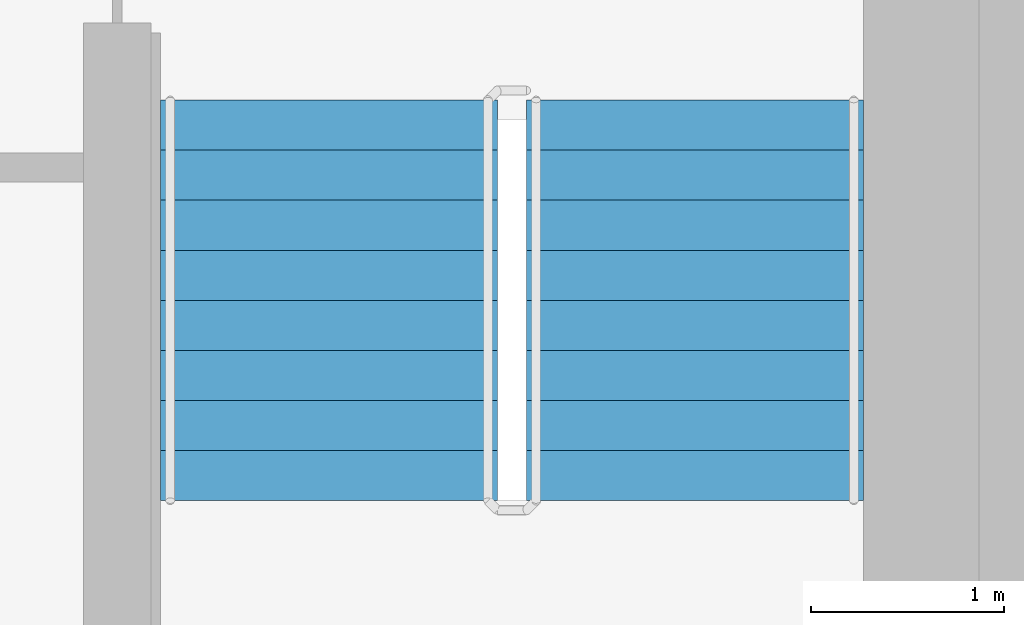
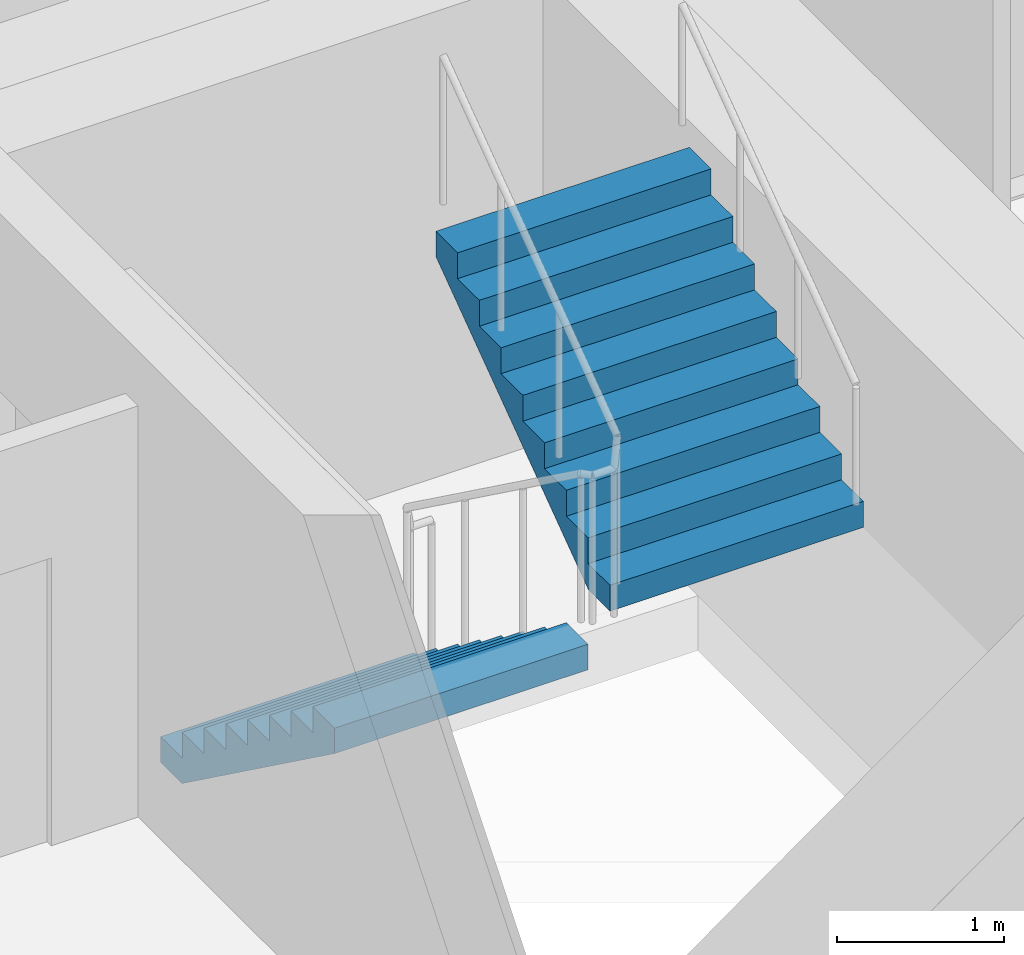
# One storey, part 14 of 18: 2 stair flights, 1 element without a shape of its own.
"""IFC4 building model written with IfcOpenShell, lengths in metres."""

from ifc_helpers import new_model, si_unit, direction, frame, origin, place, context, subcontext, project, spatial, faceted_brep, material, type_object, element, aggregate, save


model = new_model("IFC4")

# Units and contexts
model_context = context("Model", 3, precision=1e-05, world=origin(), true_north=direction((0.0, 1.0)))
body_context = subcontext(model_context, "Body", "Model", "MODEL_VIEW")
ifc_project = project(units=[si_unit("LENGTHUNIT", "METRE"), si_unit("AREAUNIT", "SQUARE_METRE"), si_unit("VOLUMEUNIT", "CUBIC_METRE"), si_unit("PLANEANGLEUNIT", "RADIAN"), si_unit("MASSUNIT", "GRAM", prefix="KILO")], contexts=[model_context])

# Site, building, storey
site_placement = place(None, origin())
site = spatial("IfcSite", under=ifc_project, at=site_placement, CompositionType="ELEMENT")
building_placement = place(site_placement, origin())
building = spatial("IfcBuilding", under=site, at=building_placement, Name="Ipe Terrace Towers", CompositionType="ELEMENT")
storey_placement = place(building_placement, frame((0.0, 0.0, 213.0)))
storey = spatial("IfcBuildingStorey", under=building, at=storey_placement, Name="L59", CompositionType="ELEMENT", Elevation=213.0)

# Stair, stair flights
ifc_material_1 = material(Name="Concrete C30/37", Category="concrete")
stair_type = type_object("IfcStairType", Name="Protected exit stair", PredefinedType="HALF_TURN_STAIR", material=ifc_material_1)
stair_placement = place(storey_placement, origin())
stair = element("IfcStair", 1, at=stair_placement, inside=storey, type_object=stair_type, Name="L59 Exit stair T2-C2", PredefinedType="HALF_TURN_STAIR")
ifc_material_2 = material(Name="Concrete C30/37", Category="concrete")
stair_flight_type = type_object("IfcStairFlightType", Name="Exit stair flight 1750", PredefinedType="STRAIGHT", material=ifc_material_2)
stair_flight_1_placement = place(storey_placement, frame((38.77490234375, -9.699951171875, 0.0), z_axis=(0.0, 0.0, 1.0), x_axis=(0.0, -1.0, 0.0)))
stair_flight_1 = element("IfcStairFlight", 2, at=stair_flight_1_placement, type_object=stair_flight_type, Name="T2-ST2 flight 1", NumberOfRisers=9, NumberOfTreads=8, PredefinedType="STRAIGHT", RiserHeight=0.188888889, TreadLength=0.26, context=body_context, shape_type="Brep", body=[
    faceted_brep([(0.255126953125, -0.875, 0.0), (2.080078125, -0.875, 1.325927734375), (2.080078125, -0.875, 1.51123046875), (1.820068359375, -0.875, 1.51123046875), (1.820068359375, -0.875, 1.322265625), (1.56005859375, -0.875, 1.322265625), (1.56005859375, -0.875, 1.13330078125), (1.300048828125, -0.875, 1.13330078125), (1.300048828125, -0.875, 0.9443359375), (1.0400390625, -0.875, 0.9443359375), (1.0400390625, -0.875, 0.755615234375), (0.780029296875, -0.875, 0.755615234375), (0.780029296875, -0.875, 0.566650390625), (0.52001953125, -0.875, 0.566650390625), (0.52001953125, -0.875, 0.377685546875), (0.260009765625, -0.875, 0.377685546875), (0.260009765625, -0.875, 0.18896484375), (0.0, -0.875, 0.18896484375), (0.0, -0.875, 0.0), (0.0, 0.875, 0.0), (0.0, 0.875, 0.18896484375), (0.260009765625, 0.875, 0.18896484375), (0.260009765625, 0.875, 0.377685546875), (0.52001953125, 0.875, 0.377685546875), (0.52001953125, 0.875, 0.566650390625), (0.780029296875, 0.875, 0.566650390625), (0.780029296875, 0.875, 0.755615234375), (1.0400390625, 0.875, 0.755615234375), (1.0400390625, 0.875, 0.9443359375), (1.300048828125, 0.875, 0.9443359375), (1.300048828125, 0.875, 1.13330078125), (1.56005859375, 0.875, 1.13330078125), (1.56005859375, 0.875, 1.322265625), (1.820068359375, 0.875, 1.322265625), (1.820068359375, 0.875, 1.51123046875), (2.080078125, 0.875, 1.51123046875), (2.080078125, 0.875, 1.325927734375), (0.255126953125, 0.875, 0.0), (0.0, -0.300048828125, 0.18896484375), (0.0, -0.1201171875, 0.18896484375), (0.0, -0.06005859375, 0.18896484375), (0.0, -0.030029296875, 0.18896484375), (0.0, -0.010009765625, 0.18896484375), (0.0, 0.0, 0.18896484375), (0.0, 0.010009765625, 0.18896484375), (0.0, 0.030029296875, 0.18896484375), (0.0, 0.06005859375, 0.18896484375), (0.0, 0.1201171875, 0.18896484375), (0.0, 0.300048828125, 0.18896484375), (0.0, 0.300048828125, 0.0), (0.0, 0.1201171875, 0.0), (0.0, 0.06005859375, 0.0), (0.0, 0.030029296875, 0.0), (0.0, 0.010009765625, 0.0), (0.0, 0.0, 0.0), (0.0, -0.010009765625, 0.0), (0.0, -0.030029296875, 0.0), (0.0, -0.06005859375, 0.0), (0.0, -0.1201171875, 0.0), (0.0, -0.300048828125, 0.0), (0.260009765625, -0.300048828125, 0.18896484375), (0.260009765625, -0.1201171875, 0.18896484375), (0.260009765625, -0.06005859375, 0.18896484375), (0.260009765625, -0.030029296875, 0.18896484375), (0.260009765625, -0.010009765625, 0.18896484375), (0.260009765625, 0.0, 0.18896484375), (0.260009765625, 0.010009765625, 0.18896484375), (0.260009765625, 0.030029296875, 0.18896484375), (0.260009765625, 0.06005859375, 0.18896484375), (0.260009765625, 0.1201171875, 0.18896484375), (0.260009765625, 0.300048828125, 0.18896484375), (0.260009765625, -0.300048828125, 0.377685546875), (0.260009765625, -0.1201171875, 0.377685546875), (0.260009765625, -0.06005859375, 0.377685546875), (0.260009765625, -0.030029296875, 0.377685546875), (0.260009765625, -0.010009765625, 0.377685546875), (0.260009765625, 0.0, 0.377685546875), (0.260009765625, 0.010009765625, 0.377685546875), (0.260009765625, 0.030029296875, 0.377685546875), (0.260009765625, 0.06005859375, 0.377685546875), (0.260009765625, 0.1201171875, 0.377685546875), (0.260009765625, 0.300048828125, 0.377685546875), (0.52001953125, -0.300048828125, 0.377685546875), (0.52001953125, -0.1201171875, 0.377685546875), (0.52001953125, -0.06005859375, 0.377685546875), (0.52001953125, -0.030029296875, 0.377685546875), (0.52001953125, -0.010009765625, 0.377685546875), (0.52001953125, 0.0, 0.377685546875), (0.52001953125, 0.010009765625, 0.377685546875), (0.52001953125, 0.030029296875, 0.377685546875), (0.52001953125, 0.06005859375, 0.377685546875), (0.52001953125, 0.1201171875, 0.377685546875), (0.52001953125, 0.300048828125, 0.377685546875), (0.52001953125, -0.300048828125, 0.566650390625), (0.52001953125, -0.1201171875, 0.566650390625), (0.52001953125, -0.06005859375, 0.566650390625), (0.52001953125, -0.030029296875, 0.566650390625), (0.52001953125, -0.010009765625, 0.566650390625), (0.52001953125, 0.0, 0.566650390625), (0.52001953125, 0.010009765625, 0.566650390625), (0.52001953125, 0.030029296875, 0.566650390625), (0.52001953125, 0.06005859375, 0.566650390625), (0.52001953125, 0.1201171875, 0.566650390625), (0.52001953125, 0.300048828125, 0.566650390625), (0.780029296875, -0.300048828125, 0.566650390625), (0.780029296875, -0.1201171875, 0.566650390625), (0.780029296875, -0.06005859375, 0.566650390625), (0.780029296875, -0.030029296875, 0.566650390625), (0.780029296875, -0.010009765625, 0.566650390625), (0.780029296875, 0.0, 0.566650390625), (0.780029296875, 0.010009765625, 0.566650390625), (0.780029296875, 0.030029296875, 0.566650390625), (0.780029296875, 0.06005859375, 0.566650390625), (0.780029296875, 0.1201171875, 0.566650390625), (0.780029296875, 0.300048828125, 0.566650390625), (0.780029296875, -0.300048828125, 0.755615234375), (0.780029296875, -0.1201171875, 0.755615234375), (0.780029296875, -0.06005859375, 0.755615234375), (0.780029296875, -0.030029296875, 0.755615234375), (0.780029296875, -0.010009765625, 0.755615234375), (0.780029296875, 0.0, 0.755615234375), (0.780029296875, 0.010009765625, 0.755615234375), (0.780029296875, 0.030029296875, 0.755615234375), (0.780029296875, 0.06005859375, 0.755615234375), (0.780029296875, 0.1201171875, 0.755615234375), (0.780029296875, 0.300048828125, 0.755615234375), (1.0400390625, -0.300048828125, 0.755615234375), (1.0400390625, -0.1201171875, 0.755615234375), (1.0400390625, -0.06005859375, 0.755615234375), (1.0400390625, -0.030029296875, 0.755615234375), (1.0400390625, -0.010009765625, 0.755615234375), (1.0400390625, 0.0, 0.755615234375), (1.0400390625, 0.010009765625, 0.755615234375), (1.0400390625, 0.030029296875, 0.755615234375), (1.0400390625, 0.06005859375, 0.755615234375), (1.0400390625, 0.1201171875, 0.755615234375), (1.0400390625, 0.300048828125, 0.755615234375), (1.0400390625, -0.300048828125, 0.9443359375), (1.0400390625, -0.1201171875, 0.9443359375), (1.0400390625, -0.06005859375, 0.9443359375), (1.0400390625, -0.030029296875, 0.9443359375), (1.0400390625, -0.010009765625, 0.9443359375), (1.0400390625, 0.0, 0.9443359375), (1.0400390625, 0.010009765625, 0.9443359375), (1.0400390625, 0.030029296875, 0.9443359375), (1.0400390625, 0.06005859375, 0.9443359375), (1.0400390625, 0.1201171875, 0.9443359375), (1.0400390625, 0.300048828125, 0.9443359375), (1.300048828125, -0.300048828125, 0.9443359375), (1.300048828125, -0.1201171875, 0.9443359375), (1.300048828125, -0.06005859375, 0.9443359375), (1.300048828125, -0.030029296875, 0.9443359375), (1.300048828125, -0.010009765625, 0.9443359375), (1.300048828125, 0.0, 0.9443359375), (1.300048828125, 0.010009765625, 0.9443359375), (1.300048828125, 0.030029296875, 0.9443359375), (1.300048828125, 0.06005859375, 0.9443359375), (1.300048828125, 0.1201171875, 0.9443359375), (1.300048828125, 0.300048828125, 0.9443359375), (1.300048828125, -0.300048828125, 1.13330078125), (1.300048828125, -0.1201171875, 1.13330078125), (1.300048828125, -0.06005859375, 1.13330078125), (1.300048828125, -0.030029296875, 1.13330078125), (1.300048828125, -0.010009765625, 1.13330078125), (1.300048828125, 0.0, 1.13330078125), (1.300048828125, 0.010009765625, 1.13330078125), (1.300048828125, 0.030029296875, 1.13330078125), (1.300048828125, 0.06005859375, 1.13330078125), (1.300048828125, 0.1201171875, 1.13330078125), (1.300048828125, 0.300048828125, 1.13330078125), (1.56005859375, -0.300048828125, 1.13330078125), (1.56005859375, -0.1201171875, 1.13330078125), (1.56005859375, -0.06005859375, 1.13330078125), (1.56005859375, -0.030029296875, 1.13330078125), (1.56005859375, -0.010009765625, 1.13330078125), (1.56005859375, 0.0, 1.13330078125), (1.56005859375, 0.010009765625, 1.13330078125), (1.56005859375, 0.030029296875, 1.13330078125), (1.56005859375, 0.06005859375, 1.13330078125), (1.56005859375, 0.1201171875, 1.13330078125), (1.56005859375, 0.300048828125, 1.13330078125), (1.56005859375, -0.300048828125, 1.322265625), (1.56005859375, -0.1201171875, 1.322265625), (1.56005859375, -0.06005859375, 1.322265625), (1.56005859375, -0.030029296875, 1.322265625), (1.56005859375, -0.010009765625, 1.322265625), (1.56005859375, 0.0, 1.322265625), (1.56005859375, 0.010009765625, 1.322265625), (1.56005859375, 0.030029296875, 1.322265625), (1.56005859375, 0.06005859375, 1.322265625), (1.56005859375, 0.1201171875, 1.322265625), (1.56005859375, 0.300048828125, 1.322265625), (1.820068359375, -0.300048828125, 1.322265625), (1.820068359375, -0.1201171875, 1.322265625), (1.820068359375, -0.06005859375, 1.322265625), (1.820068359375, -0.030029296875, 1.322265625), (1.820068359375, -0.010009765625, 1.322265625), (1.820068359375, 0.0, 1.322265625), (1.820068359375, 0.010009765625, 1.322265625), (1.820068359375, 0.030029296875, 1.322265625), (1.820068359375, 0.06005859375, 1.322265625), (1.820068359375, 0.1201171875, 1.322265625), (1.820068359375, 0.300048828125, 1.322265625), (1.820068359375, -0.300048828125, 1.51123046875), (1.820068359375, -0.1201171875, 1.51123046875), (1.820068359375, -0.06005859375, 1.51123046875), (1.820068359375, -0.030029296875, 1.51123046875), (1.820068359375, -0.010009765625, 1.51123046875), (1.820068359375, 0.0, 1.51123046875), (1.820068359375, 0.010009765625, 1.51123046875), (1.820068359375, 0.030029296875, 1.51123046875), (1.820068359375, 0.06005859375, 1.51123046875), (1.820068359375, 0.1201171875, 1.51123046875), (1.820068359375, 0.300048828125, 1.51123046875), (2.080078125, -0.300048828125, 1.51123046875), (2.080078125, -0.1201171875, 1.51123046875), (2.080078125, -0.06005859375, 1.51123046875), (2.080078125, -0.030029296875, 1.51123046875), (2.080078125, -0.010009765625, 1.51123046875), (2.080078125, 0.0, 1.51123046875), (2.080078125, 0.010009765625, 1.51123046875), (2.080078125, 0.030029296875, 1.51123046875), (2.080078125, 0.06005859375, 1.51123046875), (2.080078125, 0.1201171875, 1.51123046875), (2.080078125, 0.300048828125, 1.51123046875), (2.080078125, -0.300048828125, 1.325927734375), (2.080078125, -0.1201171875, 1.325927734375), (2.080078125, -0.06005859375, 1.325927734375), (2.080078125, -0.030029296875, 1.325927734375), (2.080078125, -0.010009765625, 1.325927734375), (2.080078125, 0.0, 1.325927734375), (2.080078125, 0.010009765625, 1.325927734375), (2.080078125, 0.030029296875, 1.325927734375), (2.080078125, 0.06005859375, 1.325927734375), (2.080078125, 0.1201171875, 1.325927734375), (2.080078125, 0.300048828125, 1.325927734375), (0.255126953125, -0.300048828125, 0.0), (0.255126953125, -0.1201171875, 0.0), (0.255126953125, -0.06005859375, 0.0), (0.255126953125, -0.030029296875, 0.0), (0.255126953125, -0.010009765625, 0.0), (0.255126953125, 0.0, 0.0), (0.255126953125, 0.010009765625, 0.0), (0.255126953125, 0.030029296875, 0.0), (0.255126953125, 0.06005859375, 0.0), (0.255126953125, 0.1201171875, 0.0), (0.255126953125, 0.300048828125, 0.0)], [[[0, 1, 2, 3, 4, 5, 6, 7, 8, 9, 10, 11, 12, 13, 14, 15, 16, 17, 18]], [[19, 20, 21, 22, 23, 24, 25, 26, 27, 28, 29, 30, 31, 32, 33, 34, 35, 36, 37]], [[17, 38, 39, 40, 41, 42, 43, 44, 45, 46, 47, 48, 20, 19, 49, 50, 51, 52, 53, 54, 55, 56, 57, 58, 59, 18]], [[16, 60, 61, 62, 63, 64, 65, 66, 67, 68, 69, 70, 21, 20, 48, 47, 46, 45, 44, 43, 42, 41, 40, 39, 38, 17]], [[15, 71, 72, 73, 74, 75, 76, 77, 78, 79, 80, 81, 22, 21, 70, 69, 68, 67, 66, 65, 64, 63, 62, 61, 60, 16]], [[14, 82, 83, 84, 85, 86, 87, 88, 89, 90, 91, 92, 23, 22, 81, 80, 79, 78, 77, 76, 75, 74, 73, 72, 71, 15]], [[13, 93, 94, 95, 96, 97, 98, 99, 100, 101, 102, 103, 24, 23, 92, 91, 90, 89, 88, 87, 86, 85, 84, 83, 82, 14]], [[12, 104, 105, 106, 107, 108, 109, 110, 111, 112, 113, 114, 25, 24, 103, 102, 101, 100, 99, 98, 97, 96, 95, 94, 93, 13]], [[11, 115, 116, 117, 118, 119, 120, 121, 122, 123, 124, 125, 26, 25, 114, 113, 112, 111, 110, 109, 108, 107, 106, 105, 104, 12]], [[10, 126, 127, 128, 129, 130, 131, 132, 133, 134, 135, 136, 27, 26, 125, 124, 123, 122, 121, 120, 119, 118, 117, 116, 115, 11]], [[9, 137, 138, 139, 140, 141, 142, 143, 144, 145, 146, 147, 28, 27, 136, 135, 134, 133, 132, 131, 130, 129, 128, 127, 126, 10]], [[8, 148, 149, 150, 151, 152, 153, 154, 155, 156, 157, 158, 29, 28, 147, 146, 145, 144, 143, 142, 141, 140, 139, 138, 137, 9]], [[7, 159, 160, 161, 162, 163, 164, 165, 166, 167, 168, 169, 30, 29, 158, 157, 156, 155, 154, 153, 152, 151, 150, 149, 148, 8]], [[6, 170, 171, 172, 173, 174, 175, 176, 177, 178, 179, 180, 31, 30, 169, 168, 167, 166, 165, 164, 163, 162, 161, 160, 159, 7]], [[5, 181, 182, 183, 184, 185, 186, 187, 188, 189, 190, 191, 32, 31, 180, 179, 178, 177, 176, 175, 174, 173, 172, 171, 170, 6]], [[4, 192, 193, 194, 195, 196, 197, 198, 199, 200, 201, 202, 33, 32, 191, 190, 189, 188, 187, 186, 185, 184, 183, 182, 181, 5]], [[3, 203, 204, 205, 206, 207, 208, 209, 210, 211, 212, 213, 34, 33, 202, 201, 200, 199, 198, 197, 196, 195, 194, 193, 192, 4]], [[2, 214, 215, 216, 217, 218, 219, 220, 221, 222, 223, 224, 35, 34, 213, 212, 211, 210, 209, 208, 207, 206, 205, 204, 203, 3]], [[1, 225, 226, 227, 228, 229, 230, 231, 232, 233, 234, 235, 36, 35, 224, 223, 222, 221, 220, 219, 218, 217, 216, 215, 214, 2]], [[0, 236, 237, 238, 239, 240, 241, 242, 243, 244, 245, 246, 37, 36, 235, 234, 233, 232, 231, 230, 229, 228, 227, 226, 225, 1]], [[18, 59, 58, 57, 56, 55, 54, 53, 52, 51, 50, 49, 19, 37, 246, 245, 244, 243, 242, 241, 240, 239, 238, 237, 236, 0]]]),
])
stair_flight_2_placement = place(storey_placement, frame((40.675048828125, -11.780029296875, 1.699951171875), z_axis=(0.0, 0.0, 1.0), x_axis=(0.0, 1.0, 0.0)))
stair_flight_2 = element("IfcStairFlight", 3, at=stair_flight_2_placement, type_object=stair_flight_type, Name="T2-ST2 flight 2", NumberOfRisers=9, NumberOfTreads=8, PredefinedType="STRAIGHT", RiserHeight=0.188888889, TreadLength=0.26, context=body_context, shape_type="Brep", body=[
    faceted_brep([(0.255126953125, -0.875, 0.0), (2.080078125, -0.875, 1.325927734375), (2.080078125, -0.875, 1.51123046875), (1.820068359375, -0.875, 1.51123046875), (1.820068359375, -0.875, 1.322265625), (1.56005859375, -0.875, 1.322265625), (1.56005859375, -0.875, 1.13330078125), (1.300048828125, -0.875, 1.13330078125), (1.300048828125, -0.875, 0.9443359375), (1.0400390625, -0.875, 0.9443359375), (1.0400390625, -0.875, 0.755615234375), (0.780029296875, -0.875, 0.755615234375), (0.780029296875, -0.875, 0.566650390625), (0.52001953125, -0.875, 0.566650390625), (0.52001953125, -0.875, 0.377685546875), (0.260009765625, -0.875, 0.377685546875), (0.260009765625, -0.875, 0.18896484375), (0.0, -0.875, 0.18896484375), (0.0, -0.875, 0.0), (0.0, 0.875, 0.0), (0.0, 0.875, 0.18896484375), (0.260009765625, 0.875, 0.18896484375), (0.260009765625, 0.875, 0.377685546875), (0.52001953125, 0.875, 0.377685546875), (0.52001953125, 0.875, 0.566650390625), (0.780029296875, 0.875, 0.566650390625), (0.780029296875, 0.875, 0.755615234375), (1.0400390625, 0.875, 0.755615234375), (1.0400390625, 0.875, 0.9443359375), (1.300048828125, 0.875, 0.9443359375), (1.300048828125, 0.875, 1.13330078125), (1.56005859375, 0.875, 1.13330078125), (1.56005859375, 0.875, 1.322265625), (1.820068359375, 0.875, 1.322265625), (1.820068359375, 0.875, 1.51123046875), (2.080078125, 0.875, 1.51123046875), (2.080078125, 0.875, 1.325927734375), (0.255126953125, 0.875, 0.0), (0.0, -0.300048828125, 0.18896484375), (0.0, -0.1201171875, 0.18896484375), (0.0, -0.06005859375, 0.18896484375), (0.0, -0.030029296875, 0.18896484375), (0.0, -0.010009765625, 0.18896484375), (0.0, 0.0, 0.18896484375), (0.0, 0.010009765625, 0.18896484375), (0.0, 0.030029296875, 0.18896484375), (0.0, 0.06005859375, 0.18896484375), (0.0, 0.1201171875, 0.18896484375), (0.0, 0.300048828125, 0.18896484375), (0.0, 0.300048828125, 0.0), (0.0, 0.1201171875, 0.0), (0.0, 0.06005859375, 0.0), (0.0, 0.030029296875, 0.0), (0.0, 0.010009765625, 0.0), (0.0, 0.0, 0.0), (0.0, -0.010009765625, 0.0), (0.0, -0.030029296875, 0.0), (0.0, -0.06005859375, 0.0), (0.0, -0.1201171875, 0.0), (0.0, -0.300048828125, 0.0), (0.260009765625, -0.300048828125, 0.18896484375), (0.260009765625, -0.1201171875, 0.18896484375), (0.260009765625, -0.06005859375, 0.18896484375), (0.260009765625, -0.030029296875, 0.18896484375), (0.260009765625, -0.010009765625, 0.18896484375), (0.260009765625, 0.0, 0.18896484375), (0.260009765625, 0.010009765625, 0.18896484375), (0.260009765625, 0.030029296875, 0.18896484375), (0.260009765625, 0.06005859375, 0.18896484375), (0.260009765625, 0.1201171875, 0.18896484375), (0.260009765625, 0.300048828125, 0.18896484375), (0.260009765625, -0.300048828125, 0.377685546875), (0.260009765625, -0.1201171875, 0.377685546875), (0.260009765625, -0.06005859375, 0.377685546875), (0.260009765625, -0.030029296875, 0.377685546875), (0.260009765625, -0.010009765625, 0.377685546875), (0.260009765625, 0.0, 0.377685546875), (0.260009765625, 0.010009765625, 0.377685546875), (0.260009765625, 0.030029296875, 0.377685546875), (0.260009765625, 0.06005859375, 0.377685546875), (0.260009765625, 0.1201171875, 0.377685546875), (0.260009765625, 0.300048828125, 0.377685546875), (0.52001953125, -0.300048828125, 0.377685546875), (0.52001953125, -0.1201171875, 0.377685546875), (0.52001953125, -0.06005859375, 0.377685546875), (0.52001953125, -0.030029296875, 0.377685546875), (0.52001953125, -0.010009765625, 0.377685546875), (0.52001953125, 0.0, 0.377685546875), (0.52001953125, 0.010009765625, 0.377685546875), (0.52001953125, 0.030029296875, 0.377685546875), (0.52001953125, 0.06005859375, 0.377685546875), (0.52001953125, 0.1201171875, 0.377685546875), (0.52001953125, 0.300048828125, 0.377685546875), (0.52001953125, -0.300048828125, 0.566650390625), (0.52001953125, -0.1201171875, 0.566650390625), (0.52001953125, -0.06005859375, 0.566650390625), (0.52001953125, -0.030029296875, 0.566650390625), (0.52001953125, -0.010009765625, 0.566650390625), (0.52001953125, 0.0, 0.566650390625), (0.52001953125, 0.010009765625, 0.566650390625), (0.52001953125, 0.030029296875, 0.566650390625), (0.52001953125, 0.06005859375, 0.566650390625), (0.52001953125, 0.1201171875, 0.566650390625), (0.52001953125, 0.300048828125, 0.566650390625), (0.780029296875, -0.300048828125, 0.566650390625), (0.780029296875, -0.1201171875, 0.566650390625), (0.780029296875, -0.06005859375, 0.566650390625), (0.780029296875, -0.030029296875, 0.566650390625), (0.780029296875, -0.010009765625, 0.566650390625), (0.780029296875, 0.0, 0.566650390625), (0.780029296875, 0.010009765625, 0.566650390625), (0.780029296875, 0.030029296875, 0.566650390625), (0.780029296875, 0.06005859375, 0.566650390625), (0.780029296875, 0.1201171875, 0.566650390625), (0.780029296875, 0.300048828125, 0.566650390625), (0.780029296875, -0.300048828125, 0.755615234375), (0.780029296875, -0.1201171875, 0.755615234375), (0.780029296875, -0.06005859375, 0.755615234375), (0.780029296875, -0.030029296875, 0.755615234375), (0.780029296875, -0.010009765625, 0.755615234375), (0.780029296875, 0.0, 0.755615234375), (0.780029296875, 0.010009765625, 0.755615234375), (0.780029296875, 0.030029296875, 0.755615234375), (0.780029296875, 0.06005859375, 0.755615234375), (0.780029296875, 0.1201171875, 0.755615234375), (0.780029296875, 0.300048828125, 0.755615234375), (1.0400390625, -0.300048828125, 0.755615234375), (1.0400390625, -0.1201171875, 0.755615234375), (1.0400390625, -0.06005859375, 0.755615234375), (1.0400390625, -0.030029296875, 0.755615234375), (1.0400390625, -0.010009765625, 0.755615234375), (1.0400390625, 0.0, 0.755615234375), (1.0400390625, 0.010009765625, 0.755615234375), (1.0400390625, 0.030029296875, 0.755615234375), (1.0400390625, 0.06005859375, 0.755615234375), (1.0400390625, 0.1201171875, 0.755615234375), (1.0400390625, 0.300048828125, 0.755615234375), (1.0400390625, -0.300048828125, 0.9443359375), (1.0400390625, -0.1201171875, 0.9443359375), (1.0400390625, -0.06005859375, 0.9443359375), (1.0400390625, -0.030029296875, 0.9443359375), (1.0400390625, -0.010009765625, 0.9443359375), (1.0400390625, 0.0, 0.9443359375), (1.0400390625, 0.010009765625, 0.9443359375), (1.0400390625, 0.030029296875, 0.9443359375), (1.0400390625, 0.06005859375, 0.9443359375), (1.0400390625, 0.1201171875, 0.9443359375), (1.0400390625, 0.300048828125, 0.9443359375), (1.300048828125, -0.300048828125, 0.9443359375), (1.300048828125, -0.1201171875, 0.9443359375), (1.300048828125, -0.06005859375, 0.9443359375), (1.300048828125, -0.030029296875, 0.9443359375), (1.300048828125, -0.010009765625, 0.9443359375), (1.300048828125, 0.0, 0.9443359375), (1.300048828125, 0.010009765625, 0.9443359375), (1.300048828125, 0.030029296875, 0.9443359375), (1.300048828125, 0.06005859375, 0.9443359375), (1.300048828125, 0.1201171875, 0.9443359375), (1.300048828125, 0.300048828125, 0.9443359375), (1.300048828125, -0.300048828125, 1.13330078125), (1.300048828125, -0.1201171875, 1.13330078125), (1.300048828125, -0.06005859375, 1.13330078125), (1.300048828125, -0.030029296875, 1.13330078125), (1.300048828125, -0.010009765625, 1.13330078125), (1.300048828125, 0.0, 1.13330078125), (1.300048828125, 0.010009765625, 1.13330078125), (1.300048828125, 0.030029296875, 1.13330078125), (1.300048828125, 0.06005859375, 1.13330078125), (1.300048828125, 0.1201171875, 1.13330078125), (1.300048828125, 0.300048828125, 1.13330078125), (1.56005859375, -0.300048828125, 1.13330078125), (1.56005859375, -0.1201171875, 1.13330078125), (1.56005859375, -0.06005859375, 1.13330078125), (1.56005859375, -0.030029296875, 1.13330078125), (1.56005859375, -0.010009765625, 1.13330078125), (1.56005859375, 0.0, 1.13330078125), (1.56005859375, 0.010009765625, 1.13330078125), (1.56005859375, 0.030029296875, 1.13330078125), (1.56005859375, 0.06005859375, 1.13330078125), (1.56005859375, 0.1201171875, 1.13330078125), (1.56005859375, 0.300048828125, 1.13330078125), (1.56005859375, -0.300048828125, 1.322265625), (1.56005859375, -0.1201171875, 1.322265625), (1.56005859375, -0.06005859375, 1.322265625), (1.56005859375, -0.030029296875, 1.322265625), (1.56005859375, -0.010009765625, 1.322265625), (1.56005859375, 0.0, 1.322265625), (1.56005859375, 0.010009765625, 1.322265625), (1.56005859375, 0.030029296875, 1.322265625), (1.56005859375, 0.06005859375, 1.322265625), (1.56005859375, 0.1201171875, 1.322265625), (1.56005859375, 0.300048828125, 1.322265625), (1.820068359375, -0.300048828125, 1.322265625), (1.820068359375, -0.1201171875, 1.322265625), (1.820068359375, -0.06005859375, 1.322265625), (1.820068359375, -0.030029296875, 1.322265625), (1.820068359375, -0.010009765625, 1.322265625), (1.820068359375, 0.0, 1.322265625), (1.820068359375, 0.010009765625, 1.322265625), (1.820068359375, 0.030029296875, 1.322265625), (1.820068359375, 0.06005859375, 1.322265625), (1.820068359375, 0.1201171875, 1.322265625), (1.820068359375, 0.300048828125, 1.322265625), (1.820068359375, -0.300048828125, 1.51123046875), (1.820068359375, -0.1201171875, 1.51123046875), (1.820068359375, -0.06005859375, 1.51123046875), (1.820068359375, -0.030029296875, 1.51123046875), (1.820068359375, -0.010009765625, 1.51123046875), (1.820068359375, 0.0, 1.51123046875), (1.820068359375, 0.010009765625, 1.51123046875), (1.820068359375, 0.030029296875, 1.51123046875), (1.820068359375, 0.06005859375, 1.51123046875), (1.820068359375, 0.1201171875, 1.51123046875), (1.820068359375, 0.300048828125, 1.51123046875), (2.080078125, -0.300048828125, 1.51123046875), (2.080078125, -0.1201171875, 1.51123046875), (2.080078125, -0.06005859375, 1.51123046875), (2.080078125, -0.030029296875, 1.51123046875), (2.080078125, -0.010009765625, 1.51123046875), (2.080078125, 0.0, 1.51123046875), (2.080078125, 0.010009765625, 1.51123046875), (2.080078125, 0.030029296875, 1.51123046875), (2.080078125, 0.06005859375, 1.51123046875), (2.080078125, 0.1201171875, 1.51123046875), (2.080078125, 0.300048828125, 1.51123046875), (2.080078125, -0.300048828125, 1.325927734375), (2.080078125, -0.1201171875, 1.325927734375), (2.080078125, -0.06005859375, 1.325927734375), (2.080078125, -0.030029296875, 1.325927734375), (2.080078125, -0.010009765625, 1.325927734375), (2.080078125, 0.0, 1.325927734375), (2.080078125, 0.010009765625, 1.325927734375), (2.080078125, 0.030029296875, 1.325927734375), (2.080078125, 0.06005859375, 1.325927734375), (2.080078125, 0.1201171875, 1.325927734375), (2.080078125, 0.300048828125, 1.325927734375), (0.255126953125, -0.300048828125, 0.0), (0.255126953125, -0.1201171875, 0.0), (0.255126953125, -0.06005859375, 0.0), (0.255126953125, -0.030029296875, 0.0), (0.255126953125, -0.010009765625, 0.0), (0.255126953125, 0.0, 0.0), (0.255126953125, 0.010009765625, 0.0), (0.255126953125, 0.030029296875, 0.0), (0.255126953125, 0.06005859375, 0.0), (0.255126953125, 0.1201171875, 0.0), (0.255126953125, 0.300048828125, 0.0)], [[[0, 1, 2, 3, 4, 5, 6, 7, 8, 9, 10, 11, 12, 13, 14, 15, 16, 17, 18]], [[19, 20, 21, 22, 23, 24, 25, 26, 27, 28, 29, 30, 31, 32, 33, 34, 35, 36, 37]], [[17, 38, 39, 40, 41, 42, 43, 44, 45, 46, 47, 48, 20, 19, 49, 50, 51, 52, 53, 54, 55, 56, 57, 58, 59, 18]], [[16, 60, 61, 62, 63, 64, 65, 66, 67, 68, 69, 70, 21, 20, 48, 47, 46, 45, 44, 43, 42, 41, 40, 39, 38, 17]], [[15, 71, 72, 73, 74, 75, 76, 77, 78, 79, 80, 81, 22, 21, 70, 69, 68, 67, 66, 65, 64, 63, 62, 61, 60, 16]], [[14, 82, 83, 84, 85, 86, 87, 88, 89, 90, 91, 92, 23, 22, 81, 80, 79, 78, 77, 76, 75, 74, 73, 72, 71, 15]], [[13, 93, 94, 95, 96, 97, 98, 99, 100, 101, 102, 103, 24, 23, 92, 91, 90, 89, 88, 87, 86, 85, 84, 83, 82, 14]], [[12, 104, 105, 106, 107, 108, 109, 110, 111, 112, 113, 114, 25, 24, 103, 102, 101, 100, 99, 98, 97, 96, 95, 94, 93, 13]], [[11, 115, 116, 117, 118, 119, 120, 121, 122, 123, 124, 125, 26, 25, 114, 113, 112, 111, 110, 109, 108, 107, 106, 105, 104, 12]], [[10, 126, 127, 128, 129, 130, 131, 132, 133, 134, 135, 136, 27, 26, 125, 124, 123, 122, 121, 120, 119, 118, 117, 116, 115, 11]], [[9, 137, 138, 139, 140, 141, 142, 143, 144, 145, 146, 147, 28, 27, 136, 135, 134, 133, 132, 131, 130, 129, 128, 127, 126, 10]], [[8, 148, 149, 150, 151, 152, 153, 154, 155, 156, 157, 158, 29, 28, 147, 146, 145, 144, 143, 142, 141, 140, 139, 138, 137, 9]], [[7, 159, 160, 161, 162, 163, 164, 165, 166, 167, 168, 169, 30, 29, 158, 157, 156, 155, 154, 153, 152, 151, 150, 149, 148, 8]], [[6, 170, 171, 172, 173, 174, 175, 176, 177, 178, 179, 180, 31, 30, 169, 168, 167, 166, 165, 164, 163, 162, 161, 160, 159, 7]], [[5, 181, 182, 183, 184, 185, 186, 187, 188, 189, 190, 191, 32, 31, 180, 179, 178, 177, 176, 175, 174, 173, 172, 171, 170, 6]], [[4, 192, 193, 194, 195, 196, 197, 198, 199, 200, 201, 202, 33, 32, 191, 190, 189, 188, 187, 186, 185, 184, 183, 182, 181, 5]], [[3, 203, 204, 205, 206, 207, 208, 209, 210, 211, 212, 213, 34, 33, 202, 201, 200, 199, 198, 197, 196, 195, 194, 193, 192, 4]], [[2, 214, 215, 216, 217, 218, 219, 220, 221, 222, 223, 224, 35, 34, 213, 212, 211, 210, 209, 208, 207, 206, 205, 204, 203, 3]], [[1, 225, 226, 227, 228, 229, 230, 231, 232, 233, 234, 235, 36, 35, 224, 223, 222, 221, 220, 219, 218, 217, 216, 215, 214, 2]], [[0, 236, 237, 238, 239, 240, 241, 242, 243, 244, 245, 246, 37, 36, 235, 234, 233, 232, 231, 230, 229, 228, 227, 226, 225, 1]], [[18, 59, 58, 57, 56, 55, 54, 53, 52, 51, 50, 49, 19, 37, 246, 245, 244, 243, 242, 241, 240, 239, 238, 237, 236, 0]]]),
])
aggregate(stair, [stair_flight_1, stair_flight_2])

save(model, "model.ifc")
